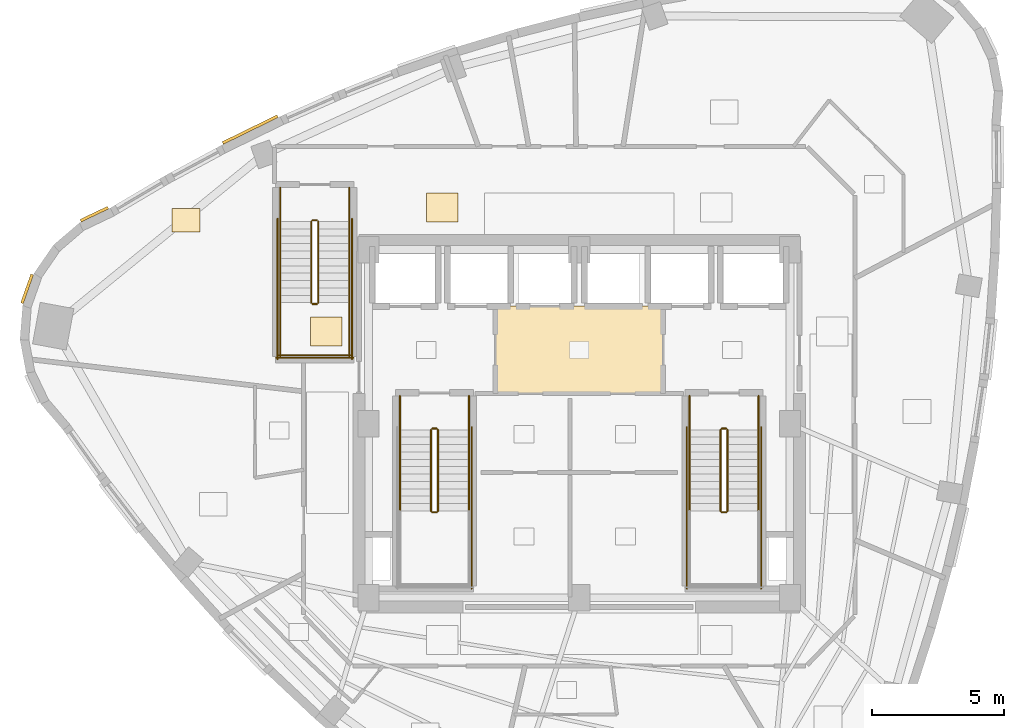
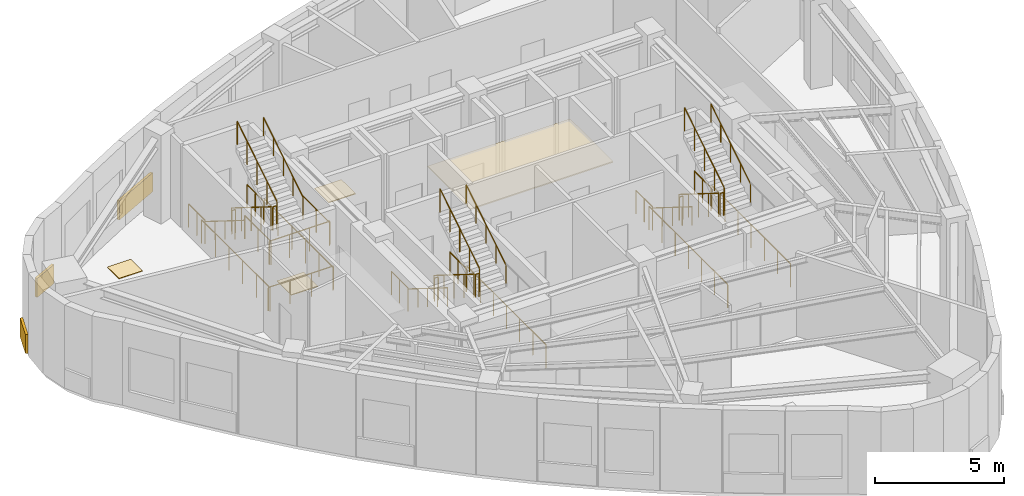
# One storey, part 8 of 9: 33 railings, 7 coverings.
"""IFC4 building model written with IfcOpenShell, lengths in metres."""

from ifc_helpers import new_model, si_unit, direction, frame, origin, origin_2d, place, context, subcontext, project, spatial, rectangle, circle, extrude, material, layer, layer_set, type_object, element, save


model = new_model("IFC4")

# Units and contexts
model_context = context("Model", 3, precision=1e-05, world=origin(), true_north=direction((0.0, 1.0)))
body_context = subcontext(model_context, "Body", "Model", "MODEL_VIEW")
ifc_project = project(units=[si_unit("LENGTHUNIT", "METRE"), si_unit("AREAUNIT", "SQUARE_METRE"), si_unit("VOLUMEUNIT", "CUBIC_METRE"), si_unit("PLANEANGLEUNIT", "RADIAN"), si_unit("MASSUNIT", "GRAM", prefix="KILO")], contexts=[model_context])

# Site, building, storey
site_placement = place(None, origin())
site = spatial("IfcSite", under=ifc_project, at=site_placement, CompositionType="ELEMENT")
building_placement = place(site_placement, origin())
building = spatial("IfcBuilding", under=site, at=building_placement, Name="Ndelora Gate Hotel", CompositionType="ELEMENT")
storey_placement = place(building_placement, frame((0.0, 0.0, 264.39990234375)))
storey = spatial("IfcBuildingStorey", under=building, at=storey_placement, Name="L66", CompositionType="ELEMENT", Elevation=264.39990234375)

# Coverings
ifc_material_1 = material(Name="Perforated Acoustic Gypsum Board", Category="gypsum")
ifc_layer_1 = layer(ifc_material_1, 0.054931640625)
ifc_layer_set_1 = layer_set([ifc_layer_1], Name="Perforated Acoustic Gypsum Board")
covering_type_1 = type_object("IfcCoveringType", Name="COV-CEIL-AC60", PredefinedType="CEILING", material=ifc_layer_set_1)
covering_1_placement = place(storey_placement, frame((0.0, 2.800048828125, 2.72265625), z_axis=(0.0, 0.0, 1.0), x_axis=(1.0, 0.0, 0.0)))
element("IfcCovering", 1, at=covering_1_placement, inside=storey, type_object=covering_type_1, Name="L66 Lift Lobby Acoustic Ceiling", PredefinedType="CEILING", context=body_context, shape_type="SweptSolid", body=[
    extrude(rectangle(XDim=6.39990234375, YDim=3.340087890625, at=origin_2d()), origin(), (0.0, 0.0, 1.0), 0.054931640625),
])
ifc_material_2 = material(Name="Terracotta Fired Clay Brick Slip Cladding", Category="masonry")
ifc_layer_2 = layer(ifc_material_2, 0.110107421875)
ifc_layer_set_2 = layer_set([ifc_layer_2], Name="Terracotta Fired Clay Brick Slip Cladding")
covering_type_2 = type_object("IfcCoveringType", Name="COV-CLAD-BRK", PredefinedType="CLADDING", material=ifc_layer_set_2)
for number, where, z_axis, x_axis, name in (
    (2, (-18.3916015625, 7.9462890625, 0.10009765625), (0.0, 0.0, 1.0), (0.90258528435, 0.430511096808, 0.0), "L66 Rounded-Corner Brick Cladding Band 1"),
    (3, (-20.940673828125, 5.115234375, 0.10009765625), (0.0, 0.0, 1.0), (0.333806859234, 0.942641491092, 0.0), "L66 Rounded-Corner Brick Cladding Band 4"),
):
    element("IfcCovering", number, at=place(storey_placement, frame(where, z_axis=z_axis, x_axis=x_axis)), inside=storey, type_object=covering_type_2, Name=name, PredefinedType="CLADDING", context=body_context, shape_type="SweptSolid", body=[
        extrude(rectangle(XDim=1.153076171875, YDim=0.110107421875, at=origin_2d()), origin(), (0.0, 0.0, 1.0), 0.89990234375),
    ])
covering_2_placement = place(storey_placement, frame((-12.480224609375, 11.15380859375, 0.10009765625), z_axis=(0.0, 0.0, 1.0), x_axis=(0.898181088787, 0.4396256723, 0.0)))
element("IfcCovering", 4, at=covering_2_placement, inside=storey, type_object=covering_type_2, Name="L66 Rounded-Corner Brick Cladding Band 58", PredefinedType="CLADDING", context=body_context, shape_type="SweptSolid", body=[
    extrude(rectangle(XDim=2.322021484375, YDim=0.110107421875, at=origin_2d()), origin(), (0.0, 0.0, 1.0), 0.89990234375),
])
ifc_material_3 = material(Name="Engineered Highland Oak Parquet", Category="wood")
ifc_layer_3 = layer(ifc_material_3, 0.030029296875)
ifc_layer_set_3 = layer_set([ifc_layer_3], Name="Engineered Highland Oak Parquet")
covering_type_3 = type_object("IfcCoveringType", Name="COV-FLR-PARQ", PredefinedType="FLOORING", material=ifc_layer_set_3)
covering_3_placement = place(storey_placement, frame((-14.9140625, 7.714111328125, 0.0), z_axis=(0.0, 0.0, 1.0), x_axis=(1.0, 0.0, 0.0)))
element("IfcCovering", 5, at=covering_3_placement, inside=storey, type_object=covering_type_3, Name="L66 Sky Garden Tea Dining Room Oak Parquet Flooring", PredefinedType="FLOORING", context=body_context, shape_type="SweptSolid", body=[
    extrude(rectangle(XDim=1.050048828125, YDim=0.89990234375, at=origin_2d()), origin(), (0.0, 0.0, 1.0), 0.030029296875),
])
ifc_material_4 = material(Name="Polished Highland Stone Terrazzo", Category="masonry")
ifc_layer_4 = layer(ifc_material_4, 0.034912109375)
ifc_layer_set_4 = layer_set([ifc_layer_4], Name="Polished Highland Stone Terrazzo")
covering_type_4 = type_object("IfcCoveringType", Name="COV-FLR-TERZ", PredefinedType="FLOORING", material=ifc_layer_set_4)
for number, where, z_axis, x_axis, name in (
    (6, (-5.199951171875, 8.199951171875, 0.0), (0.0, 0.0, 1.0), (1.0, 0.0, 0.0), "L66 Corridor Threshold Terrazzo Inlay NW"),
    (7, (-9.60009765625, 3.5, 0.0), (0.0, 0.0, 1.0), (1.0, 0.0, 0.0), "L66 Corridor Threshold Terrazzo Inlay W"),
):
    element("IfcCovering", number, at=place(storey_placement, frame(where, z_axis=z_axis, x_axis=x_axis)), inside=storey, type_object=covering_type_4, Name=name, PredefinedType="FLOORING", context=body_context, shape_type="SweptSolid", body=[
        extrude(rectangle(XDim=1.199951171875, YDim=1.10009765625, at=origin_2d()), origin(), (0.0, 0.0, 1.0), 0.034912109375),
    ])

# Railings
ifc_material_5 = material(Name="Painted Galvanized Steel Balustrade", Category="steel")
ifc_layer_5 = layer(ifc_material_5, 0.06005859375)
ifc_layer_set_5 = layer_set([ifc_layer_5], Name="Painted Galvanized Steel Balustrade")
railing_type_1 = type_object("IfcRailingType", Name="RL-STAIR-GD", PredefinedType="GUARDRAIL", material=ifc_layer_set_5)
railing_1_placement = place(storey_placement, frame((-5.6201171875, -0.22998046875, 0.175048828125)))
element("IfcRailing", 8, at=railing_1_placement, inside=storey, type_object=railing_type_1, Name="L66 ST4 stair guard 1", PredefinedType="GUARDRAIL", context=body_context, shape_type="SweptSolid", body=[
    extrude(circle(Radius=0.02392578125, at=origin_2d()), frame((0.0, 0.0, 1.10595703125), z_axis=(0.0, -0.847998304005, 0.529998940003), x_axis=(1.0, 0.0, 0.0)), (0.0, 0.0, 1.0), 3.632080078125),
    extrude(circle(Radius=0.02099609375, at=origin_2d()), origin(), (0.0, 0.0, 1.0), 1.081787109375),
    extrude(circle(Radius=0.02099609375, at=origin_2d()), frame((0.0, -0.77001953125, 0.481201171875)), (0.0, 0.0, 1.0), 1.081787109375),
    extrude(circle(Radius=0.02099609375, at=origin_2d()), frame((0.0, -1.5400390625, 0.96240234375)), (0.0, 0.0, 1.0), 1.081787109375),
    extrude(circle(Radius=0.02099609375, at=origin_2d()), frame((0.0, -2.31005859375, 1.44384765625)), (0.0, 0.0, 1.0), 1.081787109375),
    extrude(circle(Radius=0.02099609375, at=origin_2d()), frame((0.0, -3.080078125, 1.925048828125)), (0.0, 0.0, 1.0), 1.081787109375),
])
railing_2_placement = place(storey_placement, frame((-5.570068359375, -3.360107421875, 2.10009765625)))
element("IfcRailing", 9, at=railing_2_placement, inside=storey, type_object=railing_type_1, Name="L66 ST4 stair guard 2", PredefinedType="GUARDRAIL", context=body_context, shape_type="SweptSolid", body=[
    extrude(circle(Radius=0.02392578125, at=origin_2d()), frame((0.0, 0.0, 1.10595703125), z_axis=(1.0, 0.0, 0.0), x_axis=(0.0, 1.0, 0.0)), (0.0, 0.0, 1.0), 0.16015625),
    extrude(circle(Radius=0.02099609375, at=origin_2d()), origin(), (0.0, 0.0, 1.0), 1.081787109375),
    extrude(circle(Radius=0.02099609375, at=origin_2d()), frame((0.16015625, 0.0, 0.0)), (0.0, 0.0, 1.0), 1.081787109375),
])
railing_3_placement = place(storey_placement, frame((-5.360107421875, -3.31005859375, 2.275146484375)))
element("IfcRailing", 10, at=railing_3_placement, inside=storey, type_object=railing_type_1, Name="L66 ST4 stair guard 6", PredefinedType="GUARDRAIL", context=body_context, shape_type="SweptSolid", body=[
    extrude(circle(Radius=0.02392578125, at=origin_2d()), frame((0.0, 0.0, 1.10595703125), z_axis=(0.0, 0.847998304005, 0.529998940003), x_axis=(-1.0, 0.0, 0.0)), (0.0, 0.0, 1.0), 3.632080078125),
    extrude(circle(Radius=0.02099609375, at=origin_2d()), origin(), (0.0, 0.0, 1.0), 1.081787109375),
    extrude(circle(Radius=0.02099609375, at=origin_2d()), frame((0.0, 0.77001953125, 0.481201171875)), (0.0, 0.0, 1.0), 1.081787109375),
    extrude(circle(Radius=0.02099609375, at=origin_2d()), frame((0.0, 1.5400390625, 0.96240234375)), (0.0, 0.0, 1.0), 1.081787109375),
    extrude(circle(Radius=0.02099609375, at=origin_2d()), frame((0.0, 2.31005859375, 1.44384765625)), (0.0, 0.0, 1.0), 1.081787109375),
    extrude(circle(Radius=0.02099609375, at=origin_2d()), frame((0.0, 3.080078125, 1.925048828125)), (0.0, 0.0, 1.0), 1.081787109375),
])
railing_4_placement = place(storey_placement, frame((-5.570068359375, -0.179931640625, 0.0)))
element("IfcRailing", 11, at=railing_4_placement, inside=storey, type_object=railing_type_1, Name="L66 ST4 stair guard 7", PredefinedType="GUARDRAIL", context=body_context, shape_type="SweptSolid", body=[
    extrude(circle(Radius=0.02392578125, at=origin_2d()), frame((0.0, 0.0, 1.10595703125), z_axis=(1.0, 0.0, 0.0), x_axis=(0.0, 1.0, 0.0)), (0.0, 0.0, 1.0), 0.16015625),
    extrude(circle(Radius=0.02099609375, at=origin_2d()), origin(), (0.0, 0.0, 1.0), 1.081787109375),
    extrude(circle(Radius=0.02099609375, at=origin_2d()), frame((0.16015625, 0.0, 0.0)), (0.0, 0.0, 1.0), 1.081787109375),
])
for number, where, name in (
    (12, (-6.800048828125, 1.050048828125, 0.0), "L66 ST4 stair guard 8"),
    (13, (-4.179931640625, 1.050048828125, 0.0), "L66 ST4 stair guard 9"),
):
    element("IfcRailing", number, at=place(storey_placement, frame(where)), inside=storey, type_object=railing_type_1, Name=name, PredefinedType="GUARDRAIL", context=body_context, shape_type="SweptSolid", body=[
        extrude(circle(Radius=0.02392578125, at=origin_2d()), frame((0.0, 0.0, 1.10595703125), z_axis=(0.0, -1.0, 0.0), x_axis=(1.0, 0.0, 0.0)), (0.0, 0.0, 1.0), 1.280029296875),
        extrude(circle(Radius=0.02099609375, at=origin_2d()), origin(), (0.0, 0.0, 1.0), 1.081787109375),
        extrude(circle(Radius=0.02099609375, at=origin_2d()), frame((0.0, -0.64013671875, 0.0)), (0.0, 0.0, 1.0), 1.081787109375),
        extrude(circle(Radius=0.02099609375, at=origin_2d()), frame((0.0, -1.280029296875, 0.0)), (0.0, 0.0, 1.0), 1.081787109375),
    ])
railing_5_placement = place(storey_placement, frame((-4.080078125, -0.1298828125, 0.0)))
element("IfcRailing", 14, at=railing_5_placement, inside=storey, type_object=railing_type_1, Name="L66 ST4 stair guard 11", PredefinedType="GUARDRAIL", context=body_context, shape_type="SweptSolid", body=[
    extrude(circle(Radius=0.02392578125, at=origin_2d()), frame((0.0, 0.0, 1.10595703125), z_axis=(0.0, -1.0, 0.0), x_axis=(1.0, 0.0, 0.0)), (0.0, 0.0, 1.0), 6.1201171875),
    extrude(circle(Radius=0.02099609375, at=origin_2d()), origin(), (0.0, 0.0, 1.0), 1.081787109375),
    extrude(circle(Radius=0.02099609375, at=origin_2d()), frame((0.0, -1.02001953125, 0.0)), (0.0, 0.0, 1.0), 1.081787109375),
    extrude(circle(Radius=0.02099609375, at=origin_2d()), frame((0.0, -2.0400390625, 0.0)), (0.0, 0.0, 1.0), 1.081787109375),
    extrude(circle(Radius=0.02099609375, at=origin_2d()), frame((0.0, -3.06005859375, 0.0)), (0.0, 0.0, 1.0), 1.081787109375),
    extrude(circle(Radius=0.02099609375, at=origin_2d()), frame((0.0, -4.080078125, 0.0)), (0.0, 0.0, 1.0), 1.081787109375),
    extrude(circle(Radius=0.02099609375, at=origin_2d()), frame((0.0, -5.10009765625, 0.0)), (0.0, 0.0, 1.0), 1.081787109375),
    extrude(circle(Radius=0.02099609375, at=origin_2d()), frame((0.0, -6.1201171875, 0.0)), (0.0, 0.0, 1.0), 1.081787109375),
])
railing_6_placement = place(storey_placement, frame((5.360107421875, -0.22998046875, 0.175048828125)))
element("IfcRailing", 15, at=railing_6_placement, inside=storey, type_object=railing_type_1, Name="L66 ST5 stair guard 1", PredefinedType="GUARDRAIL", context=body_context, shape_type="SweptSolid", body=[
    extrude(circle(Radius=0.02392578125, at=origin_2d()), frame((0.0, 0.0, 1.10595703125), z_axis=(0.0, -0.847998304005, 0.529998940003), x_axis=(1.0, 0.0, 0.0)), (0.0, 0.0, 1.0), 3.632080078125),
    extrude(circle(Radius=0.02099609375, at=origin_2d()), origin(), (0.0, 0.0, 1.0), 1.081787109375),
    extrude(circle(Radius=0.02099609375, at=origin_2d()), frame((0.0, -0.77001953125, 0.481201171875)), (0.0, 0.0, 1.0), 1.081787109375),
    extrude(circle(Radius=0.02099609375, at=origin_2d()), frame((0.0, -1.5400390625, 0.96240234375)), (0.0, 0.0, 1.0), 1.081787109375),
    extrude(circle(Radius=0.02099609375, at=origin_2d()), frame((0.0, -2.31005859375, 1.44384765625)), (0.0, 0.0, 1.0), 1.081787109375),
    extrude(circle(Radius=0.02099609375, at=origin_2d()), frame((0.0, -3.080078125, 1.925048828125)), (0.0, 0.0, 1.0), 1.081787109375),
])
railing_7_placement = place(storey_placement, frame((5.409912109375, -3.360107421875, 2.10009765625)))
element("IfcRailing", 16, at=railing_7_placement, inside=storey, type_object=railing_type_1, Name="L66 ST5 stair guard 2", PredefinedType="GUARDRAIL", context=body_context, shape_type="SweptSolid", body=[
    extrude(circle(Radius=0.02392578125, at=origin_2d()), frame((0.0, 0.0, 1.10595703125), z_axis=(1.0, 0.0, 0.0), x_axis=(0.0, 1.0, 0.0)), (0.0, 0.0, 1.0), 0.16015625),
    extrude(circle(Radius=0.02099609375, at=origin_2d()), origin(), (0.0, 0.0, 1.0), 1.081787109375),
    extrude(circle(Radius=0.02099609375, at=origin_2d()), frame((0.16015625, 0.0, 0.0)), (0.0, 0.0, 1.0), 1.081787109375),
])
railing_8_placement = place(storey_placement, frame((5.6201171875, -3.31005859375, 2.275146484375)))
element("IfcRailing", 17, at=railing_8_placement, inside=storey, type_object=railing_type_1, Name="L66 ST5 stair guard 6", PredefinedType="GUARDRAIL", context=body_context, shape_type="SweptSolid", body=[
    extrude(circle(Radius=0.02392578125, at=origin_2d()), frame((0.0, 0.0, 1.10595703125), z_axis=(0.0, 0.847998304005, 0.529998940003), x_axis=(-1.0, 0.0, 0.0)), (0.0, 0.0, 1.0), 3.632080078125),
    extrude(circle(Radius=0.02099609375, at=origin_2d()), origin(), (0.0, 0.0, 1.0), 1.081787109375),
    extrude(circle(Radius=0.02099609375, at=origin_2d()), frame((0.0, 0.77001953125, 0.481201171875)), (0.0, 0.0, 1.0), 1.081787109375),
    extrude(circle(Radius=0.02099609375, at=origin_2d()), frame((0.0, 1.5400390625, 0.96240234375)), (0.0, 0.0, 1.0), 1.081787109375),
    extrude(circle(Radius=0.02099609375, at=origin_2d()), frame((0.0, 2.31005859375, 1.44384765625)), (0.0, 0.0, 1.0), 1.081787109375),
    extrude(circle(Radius=0.02099609375, at=origin_2d()), frame((0.0, 3.080078125, 1.925048828125)), (0.0, 0.0, 1.0), 1.081787109375),
])
railing_9_placement = place(storey_placement, frame((5.409912109375, -0.179931640625, 0.0)))
element("IfcRailing", 18, at=railing_9_placement, inside=storey, type_object=railing_type_1, Name="L66 ST5 stair guard 7", PredefinedType="GUARDRAIL", context=body_context, shape_type="SweptSolid", body=[
    extrude(circle(Radius=0.02392578125, at=origin_2d()), frame((0.0, 0.0, 1.10595703125), z_axis=(1.0, 0.0, 0.0), x_axis=(0.0, 1.0, 0.0)), (0.0, 0.0, 1.0), 0.16015625),
    extrude(circle(Radius=0.02099609375, at=origin_2d()), origin(), (0.0, 0.0, 1.0), 1.081787109375),
    extrude(circle(Radius=0.02099609375, at=origin_2d()), frame((0.16015625, 0.0, 0.0)), (0.0, 0.0, 1.0), 1.081787109375),
])
for number, where, name in (
    (19, (4.179931640625, 1.050048828125, 0.0), "L66 ST5 stair guard 8"),
    (20, (6.800048828125, 1.050048828125, 0.0), "L66 ST5 stair guard 9"),
):
    element("IfcRailing", number, at=place(storey_placement, frame(where)), inside=storey, type_object=railing_type_1, Name=name, PredefinedType="GUARDRAIL", context=body_context, shape_type="SweptSolid", body=[
        extrude(circle(Radius=0.02392578125, at=origin_2d()), frame((0.0, 0.0, 1.10595703125), z_axis=(0.0, -1.0, 0.0), x_axis=(1.0, 0.0, 0.0)), (0.0, 0.0, 1.0), 1.280029296875),
        extrude(circle(Radius=0.02099609375, at=origin_2d()), origin(), (0.0, 0.0, 1.0), 1.081787109375),
        extrude(circle(Radius=0.02099609375, at=origin_2d()), frame((0.0, -0.64013671875, 0.0)), (0.0, 0.0, 1.0), 1.081787109375),
        extrude(circle(Radius=0.02099609375, at=origin_2d()), frame((0.0, -1.280029296875, 0.0)), (0.0, 0.0, 1.0), 1.081787109375),
    ])
for number, where, name in (
    (21, (4.080078125, -0.1298828125, 0.0), "L66 ST5 stair guard 10"),
    (22, (6.89990234375, -0.1298828125, 0.0), "L66 ST5 stair guard 11"),
):
    element("IfcRailing", number, at=place(storey_placement, frame(where)), inside=storey, type_object=railing_type_1, Name=name, PredefinedType="GUARDRAIL", context=body_context, shape_type="SweptSolid", body=[
        extrude(circle(Radius=0.02392578125, at=origin_2d()), frame((0.0, 0.0, 1.10595703125), z_axis=(0.0, -1.0, 0.0), x_axis=(1.0, 0.0, 0.0)), (0.0, 0.0, 1.0), 6.1201171875),
        extrude(circle(Radius=0.02099609375, at=origin_2d()), origin(), (0.0, 0.0, 1.0), 1.081787109375),
        extrude(circle(Radius=0.02099609375, at=origin_2d()), frame((0.0, -1.02001953125, 0.0)), (0.0, 0.0, 1.0), 1.081787109375),
        extrude(circle(Radius=0.02099609375, at=origin_2d()), frame((0.0, -2.0400390625, 0.0)), (0.0, 0.0, 1.0), 1.081787109375),
        extrude(circle(Radius=0.02099609375, at=origin_2d()), frame((0.0, -3.06005859375, 0.0)), (0.0, 0.0, 1.0), 1.081787109375),
        extrude(circle(Radius=0.02099609375, at=origin_2d()), frame((0.0, -4.080078125, 0.0)), (0.0, 0.0, 1.0), 1.081787109375),
        extrude(circle(Radius=0.02099609375, at=origin_2d()), frame((0.0, -5.10009765625, 0.0)), (0.0, 0.0, 1.0), 1.081787109375),
        extrude(circle(Radius=0.02099609375, at=origin_2d()), frame((0.0, -6.1201171875, 0.0)), (0.0, 0.0, 1.0), 1.081787109375),
    ])
railing_10_placement = place(storey_placement, frame((-10.159912109375, 7.669921875, 0.175048828125)))
element("IfcRailing", 23, at=railing_10_placement, inside=storey, type_object=railing_type_1, Name="L66 ST6 stair guard 1", PredefinedType="GUARDRAIL", context=body_context, shape_type="SweptSolid", body=[
    extrude(circle(Radius=0.02392578125, at=origin_2d()), frame((0.0, 0.0, 1.10595703125), z_axis=(0.0, -0.847979421464, 0.530029150871), x_axis=(1.0, 0.0, 0.0)), (0.0, 0.0, 1.0), 3.632080078125),
    extrude(circle(Radius=0.02099609375, at=origin_2d()), origin(), (0.0, 0.0, 1.0), 1.081787109375),
    extrude(circle(Radius=0.02099609375, at=origin_2d()), frame((0.0, -0.77001953125, 0.481201171875)), (0.0, 0.0, 1.0), 1.081787109375),
    extrude(circle(Radius=0.02099609375, at=origin_2d()), frame((0.0, -1.5400390625, 0.96240234375)), (0.0, 0.0, 1.0), 1.081787109375),
    extrude(circle(Radius=0.02099609375, at=origin_2d()), frame((0.0, -2.309814453125, 1.44384765625)), (0.0, 0.0, 1.0), 1.081787109375),
    extrude(circle(Radius=0.02099609375, at=origin_2d()), frame((0.0, -3.079833984375, 1.925048828125)), (0.0, 0.0, 1.0), 1.081787109375),
])
railing_11_placement = place(storey_placement, frame((-10.110107421875, 4.5400390625, 2.10009765625)))
element("IfcRailing", 24, at=railing_11_placement, inside=storey, type_object=railing_type_1, Name="L66 ST6 stair guard 2", PredefinedType="GUARDRAIL", context=body_context, shape_type="SweptSolid", body=[
    extrude(circle(Radius=0.02392578125, at=origin_2d()), frame((0.0, 0.0, 1.10595703125), z_axis=(1.0, 0.0, 0.0), x_axis=(0.0, 1.0, 0.0)), (0.0, 0.0, 1.0), 0.16015625),
    extrude(circle(Radius=0.02099609375, at=origin_2d()), origin(), (0.0, 0.0, 1.0), 1.081787109375),
    extrude(circle(Radius=0.02099609375, at=origin_2d()), frame((0.16015625, 0.0, 0.0)), (0.0, 0.0, 1.0), 1.081787109375),
])
for number, where, name in (
    (25, (-11.340087890625, 4.590087890625, 2.10009765625), "L66 ST6 stair guard 3"),
    (26, (-8.719970703125, 4.590087890625, 2.10009765625), "L66 ST6 stair guard 4"),
):
    element("IfcRailing", number, at=place(storey_placement, frame(where)), inside=storey, type_object=railing_type_1, Name=name, PredefinedType="GUARDRAIL", context=body_context, shape_type="SweptSolid", body=[
        extrude(circle(Radius=0.02392578125, at=origin_2d()), frame((0.0, 0.0, 1.10595703125), z_axis=(0.0, -1.0, 0.0), x_axis=(1.0, 0.0, 0.0)), (0.0, 0.0, 1.0), 2.0400390625),
        extrude(circle(Radius=0.02099609375, at=origin_2d()), origin(), (0.0, 0.0, 1.0), 1.081787109375),
        extrude(circle(Radius=0.02099609375, at=origin_2d()), frame((0.0, -1.02001953125, 0.0)), (0.0, 0.0, 1.0), 1.081787109375),
        extrude(circle(Radius=0.02099609375, at=origin_2d()), frame((0.0, -2.0400390625, 0.0)), (0.0, 0.0, 1.0), 1.081787109375),
    ])
railing_12_placement = place(storey_placement, frame((-11.389892578125, 2.60009765625, 2.10009765625)))
element("IfcRailing", 27, at=railing_12_placement, inside=storey, type_object=railing_type_1, Name="L66 ST6 stair guard 5", PredefinedType="GUARDRAIL", context=body_context, shape_type="SweptSolid", body=[
    extrude(circle(Radius=0.02392578125, at=origin_2d()), frame((0.0, 0.0, 1.10595703125), z_axis=(1.0, 0.0, 0.0), x_axis=(0.0, 1.0, 0.0)), (0.0, 0.0, 1.0), 2.719970703125),
    extrude(circle(Radius=0.02099609375, at=origin_2d()), origin(), (0.0, 0.0, 1.0), 1.081787109375),
    extrude(circle(Radius=0.02099609375, at=origin_2d()), frame((0.90673828125, 0.0, 0.0)), (0.0, 0.0, 1.0), 1.081787109375),
    extrude(circle(Radius=0.02099609375, at=origin_2d()), frame((1.813232421875, 0.0, 0.0)), (0.0, 0.0, 1.0), 1.081787109375),
    extrude(circle(Radius=0.02099609375, at=origin_2d()), frame((2.719970703125, 0.0, 0.0)), (0.0, 0.0, 1.0), 1.081787109375),
])
railing_13_placement = place(storey_placement, frame((-9.89990234375, 4.590087890625, 2.275146484375)))
element("IfcRailing", 28, at=railing_13_placement, inside=storey, type_object=railing_type_1, Name="L66 ST6 stair guard 6", PredefinedType="GUARDRAIL", context=body_context, shape_type="SweptSolid", body=[
    extrude(circle(Radius=0.02392578125, at=origin_2d()), frame((0.0, 0.0, 1.10595703125), z_axis=(0.0, 0.847979421464, 0.530029150871), x_axis=(-1.0, 0.0, 0.0)), (0.0, 0.0, 1.0), 3.632080078125),
    extrude(circle(Radius=0.02099609375, at=origin_2d()), origin(), (0.0, 0.0, 1.0), 1.081787109375),
    extrude(circle(Radius=0.02099609375, at=origin_2d()), frame((0.0, 0.77001953125, 0.481201171875)), (0.0, 0.0, 1.0), 1.081787109375),
    extrude(circle(Radius=0.02099609375, at=origin_2d()), frame((0.0, 1.5400390625, 0.96240234375)), (0.0, 0.0, 1.0), 1.081787109375),
    extrude(circle(Radius=0.02099609375, at=origin_2d()), frame((0.0, 2.309814453125, 1.44384765625)), (0.0, 0.0, 1.0), 1.081787109375),
    extrude(circle(Radius=0.02099609375, at=origin_2d()), frame((0.0, 3.079833984375, 1.925048828125)), (0.0, 0.0, 1.0), 1.081787109375),
])
railing_14_placement = place(storey_placement, frame((-10.110107421875, 7.719970703125, 0.0)))
element("IfcRailing", 29, at=railing_14_placement, inside=storey, type_object=railing_type_1, Name="L66 ST6 stair guard 7", PredefinedType="GUARDRAIL", context=body_context, shape_type="SweptSolid", body=[
    extrude(circle(Radius=0.02392578125, at=origin_2d()), frame((0.0, 0.0, 1.10595703125), z_axis=(1.0, 0.0, 0.0), x_axis=(0.0, 1.0, 0.0)), (0.0, 0.0, 1.0), 0.16015625),
    extrude(circle(Radius=0.02099609375, at=origin_2d()), origin(), (0.0, 0.0, 1.0), 1.081787109375),
    extrude(circle(Radius=0.02099609375, at=origin_2d()), frame((0.16015625, 0.0, 0.0)), (0.0, 0.0, 1.0), 1.081787109375),
])
for number, where, name in (
    (30, (-11.340087890625, 8.949951171875, 0.0), "L66 ST6 stair guard 8"),
    (31, (-8.719970703125, 8.949951171875, 0.0), "L66 ST6 stair guard 9"),
):
    element("IfcRailing", number, at=place(storey_placement, frame(where)), inside=storey, type_object=railing_type_1, Name=name, PredefinedType="GUARDRAIL", context=body_context, shape_type="SweptSolid", body=[
        extrude(circle(Radius=0.02392578125, at=origin_2d()), frame((0.0, 0.0, 1.10595703125), z_axis=(0.0, -1.0, 0.0), x_axis=(1.0, 0.0, 0.0)), (0.0, 0.0, 1.0), 1.280029296875),
        extrude(circle(Radius=0.02099609375, at=origin_2d()), origin(), (0.0, 0.0, 1.0), 1.081787109375),
        extrude(circle(Radius=0.02099609375, at=origin_2d()), frame((0.0, -0.64013671875, 0.0)), (0.0, 0.0, 1.0), 1.081787109375),
        extrude(circle(Radius=0.02099609375, at=origin_2d()), frame((0.0, -1.280029296875, 0.0)), (0.0, 0.0, 1.0), 1.081787109375),
    ])
for number, where, name in (
    (32, (-11.43994140625, 7.77001953125, 0.0), "L66 ST6 stair guard 10"),
    (33, (-8.6201171875, 7.77001953125, 0.0), "L66 ST6 stair guard 11"),
):
    element("IfcRailing", number, at=place(storey_placement, frame(where)), inside=storey, type_object=railing_type_1, Name=name, PredefinedType="GUARDRAIL", context=body_context, shape_type="SweptSolid", body=[
        extrude(circle(Radius=0.02392578125, at=origin_2d()), frame((0.0, 0.0, 1.10595703125), z_axis=(0.0, -1.0, 0.0), x_axis=(1.0, 0.0, 0.0)), (0.0, 0.0, 1.0), 5.320068359375),
        extrude(circle(Radius=0.02099609375, at=origin_2d()), origin(), (0.0, 0.0, 1.0), 1.081787109375),
        extrude(circle(Radius=0.02099609375, at=origin_2d()), frame((0.0, -1.06396484375, 0.0)), (0.0, 0.0, 1.0), 1.081787109375),
        extrude(circle(Radius=0.02099609375, at=origin_2d()), frame((0.0, -2.1279296875, 0.0)), (0.0, 0.0, 1.0), 1.081787109375),
        extrude(circle(Radius=0.02099609375, at=origin_2d()), frame((0.0, -3.192138671875, 0.0)), (0.0, 0.0, 1.0), 1.081787109375),
        extrude(circle(Radius=0.02099609375, at=origin_2d()), frame((0.0, -4.256103515625, 0.0)), (0.0, 0.0, 1.0), 1.081787109375),
        extrude(circle(Radius=0.02099609375, at=origin_2d()), frame((0.0, -5.320068359375, 0.0)), (0.0, 0.0, 1.0), 1.081787109375),
    ])
railing_15_placement = place(storey_placement, frame((-11.489990234375, 2.5, 0.0)))
element("IfcRailing", 34, at=railing_15_placement, inside=storey, type_object=railing_type_1, Name="L66 ST6 stair guard 12", PredefinedType="GUARDRAIL", context=body_context, shape_type="SweptSolid", body=[
    extrude(circle(Radius=0.02392578125, at=origin_2d()), frame((0.0, 0.0, 1.10595703125), z_axis=(1.0, 0.0, 0.0), x_axis=(0.0, 1.0, 0.0)), (0.0, 0.0, 1.0), 2.919921875),
    extrude(circle(Radius=0.02099609375, at=origin_2d()), origin(), (0.0, 0.0, 1.0), 1.081787109375),
    extrude(circle(Radius=0.02099609375, at=origin_2d()), frame((0.973388671875, 0.0, 0.0)), (0.0, 0.0, 1.0), 1.081787109375),
    extrude(circle(Radius=0.02099609375, at=origin_2d()), frame((1.946533203125, 0.0, 0.0)), (0.0, 0.0, 1.0), 1.081787109375),
    extrude(circle(Radius=0.02099609375, at=origin_2d()), frame((2.919921875, 0.0, 0.0)), (0.0, 0.0, 1.0), 1.081787109375),
])
ifc_material_6 = material(Name="Brushed Stainless Steel 316", Category="steel")
ifc_layer_6 = layer(ifc_material_6, 0.050048828125)
ifc_layer_set_6 = layer_set([ifc_layer_6], Name="Brushed Stainless Steel 316")
railing_type_2 = type_object("IfcRailingType", Name="RL-STAIR-HR", PredefinedType="HANDRAIL", material=ifc_layer_set_6)
railing_16_placement = place(storey_placement, frame((-6.800048828125, -0.22998046875, 0.175048828125)))
element("IfcRailing", 35, at=railing_16_placement, inside=storey, type_object=railing_type_2, Name="L66 ST4 stair handrail 1", PredefinedType="HANDRAIL", context=body_context, shape_type="SweptSolid", body=[
    extrude(circle(Radius=0.02392578125, at=origin_2d()), frame((0.0, 0.0, 0.8759765625), z_axis=(0.0, -0.847998304005, 0.529998940003), x_axis=(1.0, 0.0, 0.0)), (0.0, 0.0, 1.0), 3.632080078125),
    extrude(circle(Radius=0.02099609375, at=origin_2d()), origin(), (0.0, 0.0, 1.0), 0.851806640625),
    extrude(circle(Radius=0.02099609375, at=origin_2d()), frame((0.0, -0.77001953125, 0.481201171875)), (0.0, 0.0, 1.0), 0.851806640625),
    extrude(circle(Radius=0.02099609375, at=origin_2d()), frame((0.0, -1.5400390625, 0.96240234375)), (0.0, 0.0, 1.0), 0.851806640625),
    extrude(circle(Radius=0.02099609375, at=origin_2d()), frame((0.0, -2.31005859375, 1.44384765625)), (0.0, 0.0, 1.0), 0.851806640625),
    extrude(circle(Radius=0.02099609375, at=origin_2d()), frame((0.0, -3.080078125, 1.925048828125)), (0.0, 0.0, 1.0), 0.851806640625),
])
railing_17_placement = place(storey_placement, frame((-4.179931640625, -3.31005859375, 2.275146484375)))
element("IfcRailing", 36, at=railing_17_placement, inside=storey, type_object=railing_type_2, Name="L66 ST4 stair handrail 2", PredefinedType="HANDRAIL", context=body_context, shape_type="SweptSolid", body=[
    extrude(circle(Radius=0.02392578125, at=origin_2d()), frame((0.0, 0.0, 0.8759765625), z_axis=(0.0, 0.847998304005, 0.529998940003), x_axis=(-1.0, 0.0, 0.0)), (0.0, 0.0, 1.0), 3.632080078125),
    extrude(circle(Radius=0.02099609375, at=origin_2d()), origin(), (0.0, 0.0, 1.0), 0.851806640625),
    extrude(circle(Radius=0.02099609375, at=origin_2d()), frame((0.0, 0.77001953125, 0.481201171875)), (0.0, 0.0, 1.0), 0.851806640625),
    extrude(circle(Radius=0.02099609375, at=origin_2d()), frame((0.0, 1.5400390625, 0.96240234375)), (0.0, 0.0, 1.0), 0.851806640625),
    extrude(circle(Radius=0.02099609375, at=origin_2d()), frame((0.0, 2.31005859375, 1.44384765625)), (0.0, 0.0, 1.0), 0.851806640625),
    extrude(circle(Radius=0.02099609375, at=origin_2d()), frame((0.0, 3.080078125, 1.925048828125)), (0.0, 0.0, 1.0), 0.851806640625),
])
railing_18_placement = place(storey_placement, frame((4.179931640625, -0.22998046875, 0.175048828125)))
element("IfcRailing", 37, at=railing_18_placement, inside=storey, type_object=railing_type_2, Name="L66 ST5 stair handrail 1", PredefinedType="HANDRAIL", context=body_context, shape_type="SweptSolid", body=[
    extrude(circle(Radius=0.02392578125, at=origin_2d()), frame((0.0, 0.0, 0.8759765625), z_axis=(0.0, -0.847998304005, 0.529998940003), x_axis=(1.0, 0.0, 0.0)), (0.0, 0.0, 1.0), 3.632080078125),
    extrude(circle(Radius=0.02099609375, at=origin_2d()), origin(), (0.0, 0.0, 1.0), 0.851806640625),
    extrude(circle(Radius=0.02099609375, at=origin_2d()), frame((0.0, -0.77001953125, 0.481201171875)), (0.0, 0.0, 1.0), 0.851806640625),
    extrude(circle(Radius=0.02099609375, at=origin_2d()), frame((0.0, -1.5400390625, 0.96240234375)), (0.0, 0.0, 1.0), 0.851806640625),
    extrude(circle(Radius=0.02099609375, at=origin_2d()), frame((0.0, -2.31005859375, 1.44384765625)), (0.0, 0.0, 1.0), 0.851806640625),
    extrude(circle(Radius=0.02099609375, at=origin_2d()), frame((0.0, -3.080078125, 1.925048828125)), (0.0, 0.0, 1.0), 0.851806640625),
])
railing_19_placement = place(storey_placement, frame((6.800048828125, -3.31005859375, 2.275146484375)))
element("IfcRailing", 38, at=railing_19_placement, inside=storey, type_object=railing_type_2, Name="L66 ST5 stair handrail 2", PredefinedType="HANDRAIL", context=body_context, shape_type="SweptSolid", body=[
    extrude(circle(Radius=0.02392578125, at=origin_2d()), frame((0.0, 0.0, 0.8759765625), z_axis=(0.0, 0.847998304005, 0.529998940003), x_axis=(-1.0, 0.0, 0.0)), (0.0, 0.0, 1.0), 3.632080078125),
    extrude(circle(Radius=0.02099609375, at=origin_2d()), origin(), (0.0, 0.0, 1.0), 0.851806640625),
    extrude(circle(Radius=0.02099609375, at=origin_2d()), frame((0.0, 0.77001953125, 0.481201171875)), (0.0, 0.0, 1.0), 0.851806640625),
    extrude(circle(Radius=0.02099609375, at=origin_2d()), frame((0.0, 1.5400390625, 0.96240234375)), (0.0, 0.0, 1.0), 0.851806640625),
    extrude(circle(Radius=0.02099609375, at=origin_2d()), frame((0.0, 2.31005859375, 1.44384765625)), (0.0, 0.0, 1.0), 0.851806640625),
    extrude(circle(Radius=0.02099609375, at=origin_2d()), frame((0.0, 3.080078125, 1.925048828125)), (0.0, 0.0, 1.0), 0.851806640625),
])
railing_20_placement = place(storey_placement, frame((-11.340087890625, 7.669921875, 0.175048828125)))
element("IfcRailing", 39, at=railing_20_placement, inside=storey, type_object=railing_type_2, Name="L66 ST6 stair handrail 1", PredefinedType="HANDRAIL", context=body_context, shape_type="SweptSolid", body=[
    extrude(circle(Radius=0.02392578125, at=origin_2d()), frame((0.0, 0.0, 0.8759765625), z_axis=(0.0, -0.847979421464, 0.530029150871), x_axis=(1.0, 0.0, 0.0)), (0.0, 0.0, 1.0), 3.632080078125),
    extrude(circle(Radius=0.02099609375, at=origin_2d()), origin(), (0.0, 0.0, 1.0), 0.851806640625),
    extrude(circle(Radius=0.02099609375, at=origin_2d()), frame((0.0, -0.77001953125, 0.481201171875)), (0.0, 0.0, 1.0), 0.851806640625),
    extrude(circle(Radius=0.02099609375, at=origin_2d()), frame((0.0, -1.5400390625, 0.96240234375)), (0.0, 0.0, 1.0), 0.851806640625),
    extrude(circle(Radius=0.02099609375, at=origin_2d()), frame((0.0, -2.309814453125, 1.44384765625)), (0.0, 0.0, 1.0), 0.851806640625),
    extrude(circle(Radius=0.02099609375, at=origin_2d()), frame((0.0, -3.079833984375, 1.925048828125)), (0.0, 0.0, 1.0), 0.851806640625),
])
railing_21_placement = place(storey_placement, frame((-8.719970703125, 4.590087890625, 2.275146484375)))
element("IfcRailing", 40, at=railing_21_placement, inside=storey, type_object=railing_type_2, Name="L66 ST6 stair handrail 2", PredefinedType="HANDRAIL", context=body_context, shape_type="SweptSolid", body=[
    extrude(circle(Radius=0.02392578125, at=origin_2d()), frame((0.0, 0.0, 0.8759765625), z_axis=(0.0, 0.847979421464, 0.530029150871), x_axis=(-1.0, 0.0, 0.0)), (0.0, 0.0, 1.0), 3.632080078125),
    extrude(circle(Radius=0.02099609375, at=origin_2d()), origin(), (0.0, 0.0, 1.0), 0.851806640625),
    extrude(circle(Radius=0.02099609375, at=origin_2d()), frame((0.0, 0.77001953125, 0.481201171875)), (0.0, 0.0, 1.0), 0.851806640625),
    extrude(circle(Radius=0.02099609375, at=origin_2d()), frame((0.0, 1.5400390625, 0.96240234375)), (0.0, 0.0, 1.0), 0.851806640625),
    extrude(circle(Radius=0.02099609375, at=origin_2d()), frame((0.0, 2.309814453125, 1.44384765625)), (0.0, 0.0, 1.0), 0.851806640625),
    extrude(circle(Radius=0.02099609375, at=origin_2d()), frame((0.0, 3.079833984375, 1.925048828125)), (0.0, 0.0, 1.0), 0.851806640625),
])

save(model, "model.ifc")
